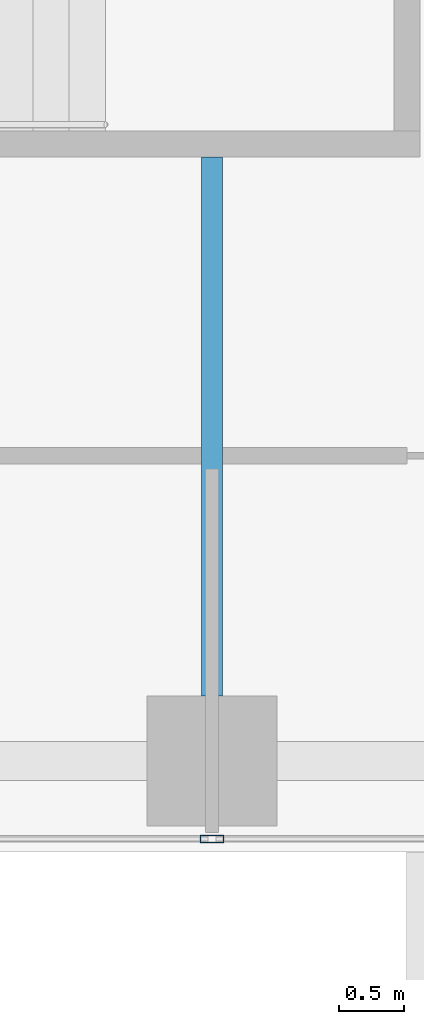
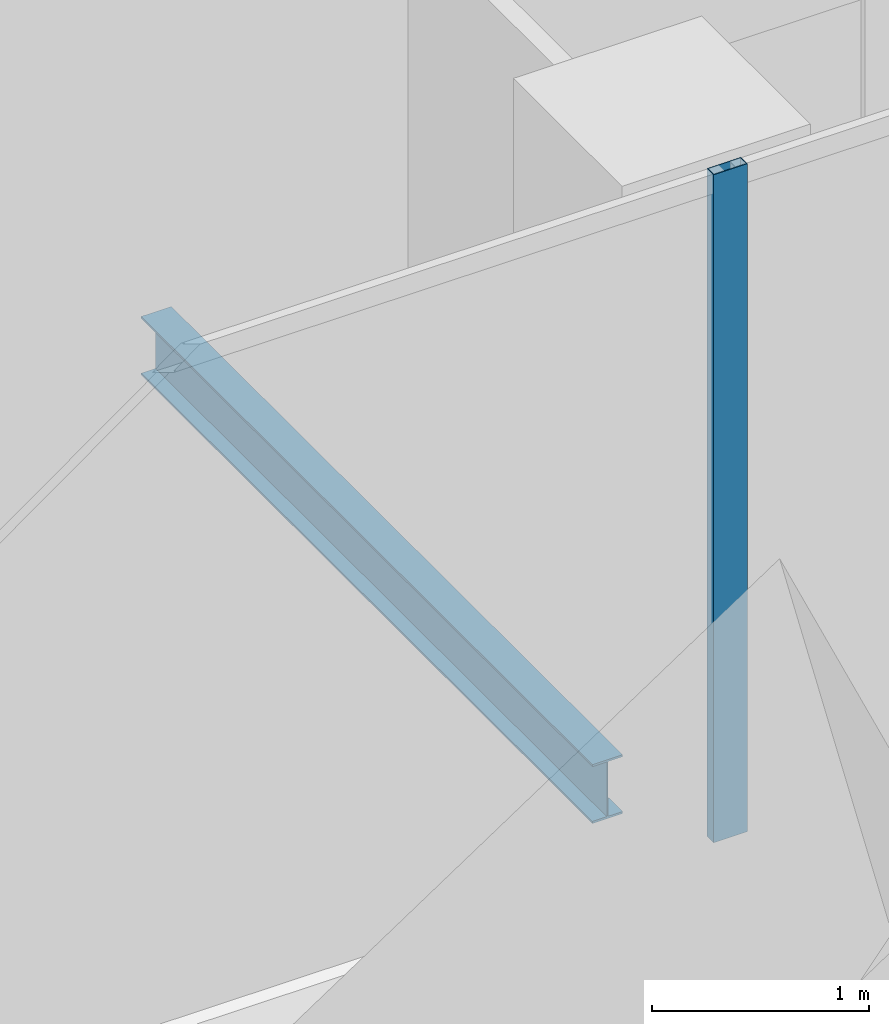
# One storey, part 5 of 35: 1 beam, 1 member, 1 element without a shape of its own.
"""IFC4 building model written with IfcOpenShell, lengths in metres."""

from ifc_helpers import new_model, si_unit, direction, frame, origin, origin_2d, place, context, subcontext, project, spatial, hollow_rectangle, i_section, extrude, source, transform, mapped, material, material_profile, profile_set, type_object, element, aggregate, save


model = new_model("IFC4")

# Units and contexts
model_context = context("Model", 3, precision=1e-05, world=origin(), true_north=direction((0.0, 1.0)))
body_context = subcontext(model_context, "Body", "Model", "MODEL_VIEW")
ifc_project = project(units=[si_unit("LENGTHUNIT", "METRE"), si_unit("AREAUNIT", "SQUARE_METRE"), si_unit("VOLUMEUNIT", "CUBIC_METRE"), si_unit("PLANEANGLEUNIT", "RADIAN"), si_unit("MASSUNIT", "GRAM", prefix="KILO")], contexts=[model_context])

# Site, building, storey
site_placement = place(None, origin())
site = spatial("IfcSite", under=ifc_project, at=site_placement, CompositionType="ELEMENT")
building_placement = place(site_placement, origin())
building = spatial("IfcBuilding", under=site, at=building_placement, Name="Khomas Fold Tower", CompositionType="ELEMENT")
storey_placement = place(building_placement, frame((0.0, 0.0, 188.699951171875)))
storey = spatial("IfcBuildingStorey", under=building, at=storey_placement, Name="L41", CompositionType="ELEMENT", Elevation=188.699951171875)

# Beam
ifc_material_1 = material(Name="Steel S355", Category="steel")
ifc_material_profile_1 = material_profile(ifc_material_1, i_section(OverallWidth=0.159912109375, OverallDepth=0.330078125, WebThickness=0.007568359375, FlangeThickness=0.011474609375, at=origin_2d()), Name="IPE 330")
ifc_profile_set_1 = profile_set([ifc_material_profile_1], Name="Steel S355")
beam_type = type_object("IfcBeamType", Name="IPE 330 beam JB1", PredefinedType="BEAM", material=ifc_profile_set_1)
shared_shape_1 = source(origin(), body_context, "Body", "SweptSolid", [
    extrude(i_section(OverallWidth=0.159912109375, OverallDepth=0.330078125, WebThickness=0.007568359375, FlangeThickness=0.011474609375, at=origin_2d()), origin(), (0.0, 0.0, 1.0), 4.150146484375),
])
beam_placement = place(storey_placement, frame((19.5, 4.199951171875, -0.4150390625), z_axis=(0.0, 1.0, 0.0), x_axis=(-1.0, 0.0, 0.0)))
element("IfcBeam", 1, at=beam_placement, inside=storey, type_object=beam_type, Name="JB1", PredefinedType="BEAM", context=body_context, shape_type="MappedRepresentation", body=[
    mapped(shared_shape_1, transform((0.0, 0.0, 0.0))),
])

# Curtain wall, member
ifc_material_2 = material(Name="Aluminium framed double glazing", Category="aluminium")
curtain_wall_type = type_object("IfcCurtainWallType", Name="SK-Unitised clear-glass wall, office floors CW2", PredefinedType="NOTDEFINED", material=ifc_material_2)
curtain_wall_placement = place(storey_placement, origin())
curtain_wall = element("IfcCurtainWall", 2, at=curtain_wall_placement, inside=storey, type_object=curtain_wall_type, Name="CW2 run L41 00-0", PredefinedType="NOTDEFINED")
ifc_material_3 = material(Name="Aluminium", Category="aluminium")
ifc_material_profile_2 = material_profile(ifc_material_3, hollow_rectangle(XDim=0.06005859375, YDim=0.179931640625, WallThickness=0.00390625, at=origin_2d()), Name="SK-Unitised clear-glass wall, office floors mullion CW2-M")
ifc_profile_set_2 = profile_set([ifc_material_profile_2], Name="Aluminium")
member_type = type_object("IfcMemberType", Name="SK-Unitised clear-glass wall, office floors mullion CW2-M", PredefinedType="MULLION", material=ifc_profile_set_2)
shared_shape_2 = source(origin(), body_context, "Body", "SweptSolid", [
    extrude(hollow_rectangle(XDim=0.06005859375, YDim=0.179931640625, WallThickness=0.00390625, at=origin_2d()), origin(), (0.0, 0.0, 1.0), 3.75),
])
member_placement = place(storey_placement, frame((19.5, 3.10009765625, 0.0), z_axis=(0.0, 0.0, 1.0), x_axis=(0.0, 1.0, 0.0)))
member = element("IfcMember", 3, at=member_placement, type_object=member_type, Name="CW2 mullion 4", PredefinedType="MULLION", context=body_context, shape_type="MappedRepresentation", body=[
    mapped(shared_shape_2, transform((0.0, 0.0, 0.0))),
])
aggregate(curtain_wall, [member])

save(model, "model.ifc")
